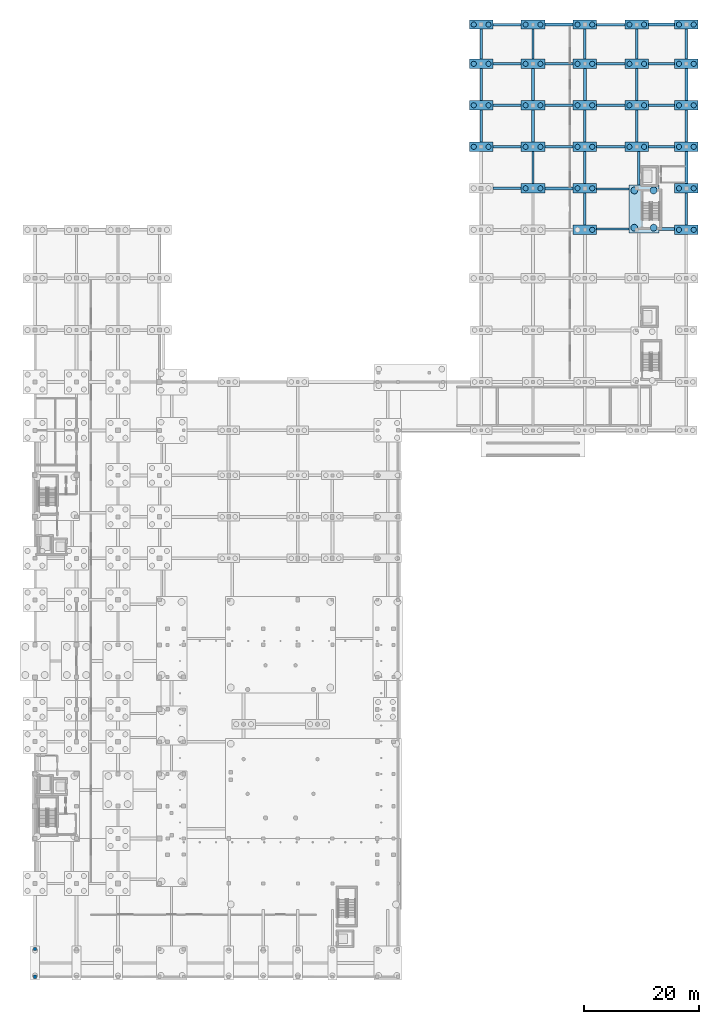
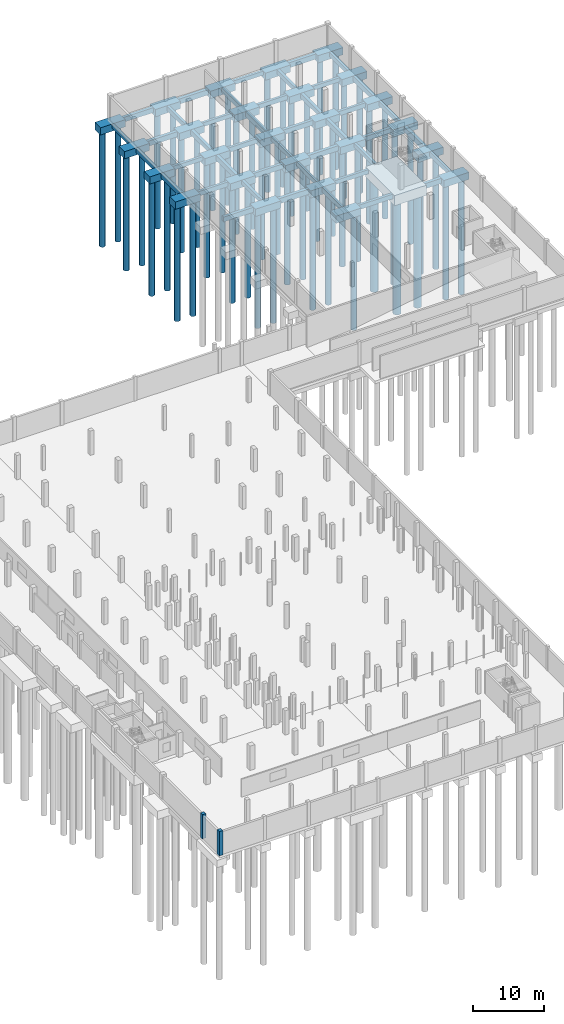
# One storey, part 6 of 34: 68 footings, 53 piles, 2 columns.
"""IFC4 building model written with IfcOpenShell, lengths in metres."""

from ifc_helpers import new_model, si_unit, direction, frame, origin, origin_2d, place, context, subcontext, project, spatial, rectangle, circle, extrude, material, material_profile, profile_set, type_object, element, save


model = new_model("IFC4")

# Units and contexts
model_context = context("Model", 3, precision=1e-05, world=origin(), true_north=direction((0.0, 1.0)))
body_context = subcontext(model_context, "Body", "Model", "MODEL_VIEW")
ifc_project = project(units=[si_unit("LENGTHUNIT", "METRE"), si_unit("AREAUNIT", "SQUARE_METRE"), si_unit("VOLUMEUNIT", "CUBIC_METRE"), si_unit("PLANEANGLEUNIT", "RADIAN"), si_unit("MASSUNIT", "GRAM", prefix="KILO")], contexts=[model_context])

# Site, building, storey
site_placement = place(None, origin())
site = spatial("IfcSite", under=ifc_project, at=site_placement, CompositionType="ELEMENT")
building_placement = place(site_placement, origin())
building = spatial("IfcBuilding", under=site, at=building_placement, Name="Vinh Khe Railworks Police Headquarters", CompositionType="ELEMENT")
storey_placement = place(building_placement, frame((0.0, 0.0, -4.199951171875)))
storey = spatial("IfcBuildingStorey", under=building, at=storey_placement, Name="B1", CompositionType="ELEMENT", Elevation=-4.199951171875)

# Piles
ifc_material_1 = material(Name="Concrete C35/45 (B35)", Category="concrete")
ifc_material_profile_1 = material_profile(ifc_material_1, circle(Radius=0.60009765625, at=origin_2d()), Name="BORED PILE D1200")
ifc_profile_set_1 = profile_set([ifc_material_profile_1], Name="Concrete C35/45 (B35)")
pile_type_1 = type_object("IfcPileType", Name="Bored Pile D1200", PredefinedType="BORED", material=ifc_profile_set_1)
for number, where, z_axis, x_axis, name in (
    (1, (104.570068359375, 131.169921875, -2.10009765625), (0.0, 0.0, -1.0), (1.0, 0.0, 0.0), "Bored Pile BP120-327"),
    (2, (104.570068359375, 137.6298828125, -2.10009765625), (0.0, 0.0, -1.0), (1.0, 0.0, 0.0), "Bored Pile BP120-328"),
    (3, (107.929931640625, 131.169921875, -2.10009765625), (0.0, 0.0, -1.0), (1.0, 0.0, 0.0), "Bored Pile BP120-329"),
    (4, (107.929931640625, 137.6298828125, -2.10009765625), (0.0, 0.0, -1.0), (1.0, 0.0, 0.0), "Bored Pile BP120-330"),
):
    element("IfcPile", number, at=place(storey_placement, frame(where, z_axis=z_axis, x_axis=x_axis)), inside=storey, type_object=pile_type_1, Name=name, PredefinedType="BORED", context=body_context, shape_type="SweptSolid", body=[
        extrude(circle(Radius=0.60009765625, at=origin_2d()), origin(), (0.0, 0.0, 1.0), 19.449951171875),
    ])
ifc_material_profile_2 = material_profile(ifc_material_1, circle(Radius=0.449951171875, at=origin_2d()), Name="BORED PILE D900")
ifc_profile_set_2 = profile_set([ifc_material_profile_2], Name="Concrete C35/45 (B35)")
pile_type_2 = type_object("IfcPileType", Name="Bored Pile D900", PredefinedType="BORED", material=ifc_profile_set_2)
for number, where, z_axis, x_axis, name in (
    (5, (76.719970703125, 145.199951171875, -1.60009765625), (0.0, 0.0, -1.0), (1.0, 0.0, 0.0), "Bored Pile BP90-271"),
    (6, (79.280029296875, 145.199951171875, -1.60009765625), (0.0, 0.0, -1.0), (1.0, 0.0, 0.0), "Bored Pile BP90-272"),
    (7, (76.719970703125, 152.39990234375, -1.60009765625), (0.0, 0.0, -1.0), (1.0, 0.0, 0.0), "Bored Pile BP90-273"),
    (8, (79.280029296875, 152.39990234375, -1.60009765625), (0.0, 0.0, -1.0), (1.0, 0.0, 0.0), "Bored Pile BP90-274"),
    (9, (76.719970703125, 159.60009765625, -1.60009765625), (0.0, 0.0, -1.0), (1.0, 0.0, 0.0), "Bored Pile BP90-275"),
    (10, (79.280029296875, 159.60009765625, -1.60009765625), (0.0, 0.0, -1.0), (1.0, 0.0, 0.0), "Bored Pile BP90-276"),
    (11, (76.719970703125, 166.39990234375, -1.60009765625), (0.0, 0.0, -1.0), (1.0, 0.0, 0.0), "Bored Pile BP90-277"),
    (12, (79.280029296875, 166.39990234375, -1.60009765625), (0.0, 0.0, -1.0), (1.0, 0.0, 0.0), "Bored Pile BP90-278"),
    (13, (85.719970703125, 138.0, -1.60009765625), (0.0, 0.0, -1.0), (1.0, 0.0, 0.0), "Bored Pile BP90-289"),
    (14, (88.280029296875, 138.0, -1.60009765625), (0.0, 0.0, -1.0), (1.0, 0.0, 0.0), "Bored Pile BP90-290"),
    (15, (85.719970703125, 145.199951171875, -1.60009765625), (0.0, 0.0, -1.0), (1.0, 0.0, 0.0), "Bored Pile BP90-291"),
    (16, (88.280029296875, 145.199951171875, -1.60009765625), (0.0, 0.0, -1.0), (1.0, 0.0, 0.0), "Bored Pile BP90-292"),
    (17, (85.719970703125, 152.39990234375, -1.60009765625), (0.0, 0.0, -1.0), (1.0, 0.0, 0.0), "Bored Pile BP90-293"),
    (18, (88.280029296875, 152.39990234375, -1.60009765625), (0.0, 0.0, -1.0), (1.0, 0.0, 0.0), "Bored Pile BP90-294"),
    (19, (85.719970703125, 159.60009765625, -1.60009765625), (0.0, 0.0, -1.0), (1.0, 0.0, 0.0), "Bored Pile BP90-295"),
    (20, (88.280029296875, 159.60009765625, -1.60009765625), (0.0, 0.0, -1.0), (1.0, 0.0, 0.0), "Bored Pile BP90-296"),
    (21, (85.719970703125, 166.39990234375, -1.60009765625), (0.0, 0.0, -1.0), (1.0, 0.0, 0.0), "Bored Pile BP90-297"),
    (22, (88.280029296875, 166.39990234375, -1.60009765625), (0.0, 0.0, -1.0), (1.0, 0.0, 0.0), "Bored Pile BP90-298"),
    (23, (97.280029296875, 130.800048828125, -1.60009765625), (0.0, 0.0, -1.0), (1.0, 0.0, 0.0), "Bored Pile BP90-308"),
    (24, (94.719970703125, 138.0, -1.60009765625), (0.0, 0.0, -1.0), (1.0, 0.0, 0.0), "Bored Pile BP90-309"),
    (25, (97.280029296875, 138.0, -1.60009765625), (0.0, 0.0, -1.0), (1.0, 0.0, 0.0), "Bored Pile BP90-310"),
    (26, (94.719970703125, 145.199951171875, -1.60009765625), (0.0, 0.0, -1.0), (1.0, 0.0, 0.0), "Bored Pile BP90-311"),
    (27, (97.280029296875, 145.199951171875, -1.60009765625), (0.0, 0.0, -1.0), (1.0, 0.0, 0.0), "Bored Pile BP90-312"),
    (28, (94.719970703125, 152.39990234375, -1.60009765625), (0.0, 0.0, -1.0), (1.0, 0.0, 0.0), "Bored Pile BP90-313"),
    (29, (97.280029296875, 152.39990234375, -1.60009765625), (0.0, 0.0, -1.0), (1.0, 0.0, 0.0), "Bored Pile BP90-314"),
    (30, (94.719970703125, 159.60009765625, -1.60009765625), (0.0, 0.0, -1.0), (1.0, 0.0, 0.0), "Bored Pile BP90-315"),
    (31, (97.280029296875, 159.60009765625, -1.60009765625), (0.0, 0.0, -1.0), (1.0, 0.0, 0.0), "Bored Pile BP90-316"),
    (32, (94.719970703125, 166.39990234375, -1.60009765625), (0.0, 0.0, -1.0), (1.0, 0.0, 0.0), "Bored Pile BP90-317"),
    (33, (97.280029296875, 166.39990234375, -1.60009765625), (0.0, 0.0, -1.0), (1.0, 0.0, 0.0), "Bored Pile BP90-318"),
    (34, (103.719970703125, 145.199951171875, -1.60009765625), (0.0, 0.0, -1.0), (1.0, 0.0, 0.0), "Bored Pile BP90-331"),
    (35, (106.280029296875, 145.199951171875, -1.60009765625), (0.0, 0.0, -1.0), (1.0, 0.0, 0.0), "Bored Pile BP90-332"),
    (36, (103.719970703125, 152.39990234375, -1.60009765625), (0.0, 0.0, -1.0), (1.0, 0.0, 0.0), "Bored Pile BP90-333"),
    (37, (106.280029296875, 152.39990234375, -1.60009765625), (0.0, 0.0, -1.0), (1.0, 0.0, 0.0), "Bored Pile BP90-334"),
    (38, (103.719970703125, 159.60009765625, -1.60009765625), (0.0, 0.0, -1.0), (1.0, 0.0, 0.0), "Bored Pile BP90-335"),
    (39, (106.280029296875, 159.60009765625, -1.60009765625), (0.0, 0.0, -1.0), (1.0, 0.0, 0.0), "Bored Pile BP90-336"),
    (40, (103.719970703125, 166.39990234375, -1.60009765625), (0.0, 0.0, -1.0), (1.0, 0.0, 0.0), "Bored Pile BP90-337"),
    (41, (106.280029296875, 166.39990234375, -1.60009765625), (0.0, 0.0, -1.0), (1.0, 0.0, 0.0), "Bored Pile BP90-338"),
    (42, (112.320068359375, 130.800048828125, -1.60009765625), (0.0, 0.0, -1.0), (1.0, 0.0, 0.0), "Bored Pile BP90-347"),
    (43, (114.8798828125, 130.800048828125, -1.60009765625), (0.0, 0.0, -1.0), (1.0, 0.0, 0.0), "Bored Pile BP90-348"),
    (44, (112.320068359375, 138.0, -1.60009765625), (0.0, 0.0, -1.0), (1.0, 0.0, 0.0), "Bored Pile BP90-349"),
    (45, (114.8798828125, 138.0, -1.60009765625), (0.0, 0.0, -1.0), (1.0, 0.0, 0.0), "Bored Pile BP90-350"),
    (46, (112.320068359375, 145.199951171875, -1.60009765625), (0.0, 0.0, -1.0), (1.0, 0.0, 0.0), "Bored Pile BP90-351"),
    (47, (114.8798828125, 145.199951171875, -1.60009765625), (0.0, 0.0, -1.0), (1.0, 0.0, 0.0), "Bored Pile BP90-352"),
    (48, (112.320068359375, 152.39990234375, -1.60009765625), (0.0, 0.0, -1.0), (1.0, 0.0, 0.0), "Bored Pile BP90-353"),
    (49, (114.8798828125, 152.39990234375, -1.60009765625), (0.0, 0.0, -1.0), (1.0, 0.0, 0.0), "Bored Pile BP90-354"),
    (50, (112.320068359375, 159.60009765625, -1.60009765625), (0.0, 0.0, -1.0), (1.0, 0.0, 0.0), "Bored Pile BP90-355"),
    (51, (114.8798828125, 159.60009765625, -1.60009765625), (0.0, 0.0, -1.0), (1.0, 0.0, 0.0), "Bored Pile BP90-356"),
    (52, (112.320068359375, 166.39990234375, -1.60009765625), (0.0, 0.0, -1.0), (1.0, 0.0, 0.0), "Bored Pile BP90-357"),
    (53, (114.8798828125, 166.39990234375, -1.60009765625), (0.0, 0.0, -1.0), (1.0, 0.0, 0.0), "Bored Pile BP90-358"),
):
    element("IfcPile", number, at=place(storey_placement, frame(where, z_axis=z_axis, x_axis=x_axis)), inside=storey, type_object=pile_type_2, Name=name, PredefinedType="BORED", context=body_context, shape_type="SweptSolid", body=[
        extrude(circle(Radius=0.449951171875, at=origin_2d()), origin(), (0.0, 0.0, 1.0), 19.949951171875),
    ])

# Footings
ifc_material_profile_3 = material_profile(ifc_material_1, rectangle(XDim=0.39990234375, YDim=0.699951171875, at=origin_2d()), Name="RC 400x700")
ifc_profile_set_3 = profile_set([ifc_material_profile_3], Name="Concrete C35/45 (B35)")
footing_type_1 = type_object("IfcFootingType", Name="Ground Tie Beam 400x700", PredefinedType="FOOTING_BEAM", material=ifc_profile_set_3)
footing_1_placement = place(storey_placement, frame((80.050048828125, 152.39990234375, -0.800048828125), z_axis=(1.0, 0.0, 0.0), x_axis=(0.0, 1.0, 0.0)))
element("IfcFooting", 54, at=footing_1_placement, inside=storey, type_object=footing_type_1, Name="Ground Tie Beam FTG-GB-B1-X162", PredefinedType="FOOTING_BEAM", context=body_context, shape_type="SweptSolid", body=[
    extrude(rectangle(XDim=0.39990234375, YDim=0.699951171875, at=origin_2d()), origin(), (0.0, 0.0, 1.0), 4.89990234375),
])
footing_2_placement = place(storey_placement, frame((78.0, 160.39990234375, -0.800048828125), z_axis=(0.0, 1.0, 0.0), x_axis=(-1.0, 0.0, 0.0)))
element("IfcFooting", 55, at=footing_2_placement, inside=storey, type_object=footing_type_1, Name="Ground Tie Beam FTG-GB-B1-Y165", PredefinedType="FOOTING_BEAM", context=body_context, shape_type="SweptSolid", body=[
    extrude(rectangle(XDim=0.39990234375, YDim=0.699951171875, at=origin_2d()), origin(), (0.0, 0.0, 1.0), 5.2001953125),
])
footing_3_placement = place(storey_placement, frame((87.0, 138.800048828125, -0.800048828125), z_axis=(0.0, 1.0, 0.0), x_axis=(-1.0, 0.0, 0.0)))
element("IfcFooting", 56, at=footing_3_placement, inside=storey, type_object=footing_type_1, Name="Ground Tie Beam FTG-GB-B1-Y178", PredefinedType="FOOTING_BEAM", context=body_context, shape_type="SweptSolid", body=[
    extrude(rectangle(XDim=0.39990234375, YDim=0.699951171875, at=origin_2d()), origin(), (0.0, 0.0, 1.0), 5.599853515625),
])
footing_4_placement = place(storey_placement, frame((89.050048828125, 159.60009765625, -0.800048828125), z_axis=(1.0, 0.0, 0.0), x_axis=(0.0, 1.0, 0.0)))
element("IfcFooting", 57, at=footing_4_placement, inside=storey, type_object=footing_type_1, Name="Ground Tie Beam FTG-GB-B1-X183", PredefinedType="FOOTING_BEAM", context=body_context, shape_type="SweptSolid", body=[
    extrude(rectangle(XDim=0.39990234375, YDim=0.699951171875, at=origin_2d()), origin(), (0.0, 0.0, 1.0), 4.89990234375),
])
footing_5_placement = place(storey_placement, frame((98.050048828125, 137.875, -0.800048828125), z_axis=(1.0, 0.0, 0.0), x_axis=(0.0, 1.0, 0.0)))
element("IfcFooting", 58, at=footing_5_placement, inside=storey, type_object=footing_type_1, Name="Ground Tie Beam FTG-GB-B1-X196", PredefinedType="FOOTING_BEAM", context=body_context, shape_type="SweptSolid", body=[
    extrude(rectangle(XDim=0.39990234375, YDim=0.699951171875, at=origin_2d()), origin(), (0.0, 0.0, 1.0), 5.599853515625),
])
footing_6_placement = place(storey_placement, frame((96.0, 146.0, -0.800048828125), z_axis=(0.0, 1.0, 0.0), x_axis=(-1.0, 0.0, 0.0)))
element("IfcFooting", 59, at=footing_6_placement, inside=storey, type_object=footing_type_1, Name="Ground Tie Beam FTG-GB-B1-Y199", PredefinedType="FOOTING_BEAM", context=body_context, shape_type="SweptSolid", body=[
    extrude(rectangle(XDim=0.39990234375, YDim=0.699951171875, at=origin_2d()), origin(), (0.0, 0.0, 1.0), 5.60009765625),
])
footing_7_placement = place(storey_placement, frame((98.050048828125, 166.39990234375, -0.800048828125), z_axis=(1.0, 0.0, 0.0), x_axis=(0.0, 1.0, 0.0)))
element("IfcFooting", 60, at=footing_7_placement, inside=storey, type_object=footing_type_1, Name="Ground Tie Beam FTG-GB-B1-X204", PredefinedType="FOOTING_BEAM", context=body_context, shape_type="SweptSolid", body=[
    extrude(rectangle(XDim=0.39990234375, YDim=0.699951171875, at=origin_2d()), origin(), (0.0, 0.0, 1.0), 4.89990234375),
])
footing_8_placement = place(storey_placement, frame((105.35009765625, 138.550048828125, -0.800048828125), z_axis=(0.0, 1.0, 0.0), x_axis=(-1.0, 0.0, 0.0)))
element("IfcFooting", 61, at=footing_8_placement, inside=storey, type_object=footing_type_1, Name="Ground Tie Beam FTG-GB-B1-Y212", PredefinedType="FOOTING_BEAM", context=body_context, shape_type="SweptSolid", body=[
    extrude(rectangle(XDim=0.39990234375, YDim=0.699951171875, at=origin_2d()), origin(), (0.0, 0.0, 1.0), 5.849853515625),
])
footing_9_placement = place(storey_placement, frame((107.050048828125, 159.60009765625, -0.800048828125), z_axis=(1.0, 0.0, 0.0), x_axis=(0.0, 1.0, 0.0)))
element("IfcFooting", 62, at=footing_9_placement, inside=storey, type_object=footing_type_1, Name="Ground Tie Beam FTG-GB-B1-X217", PredefinedType="FOOTING_BEAM", context=body_context, shape_type="SweptSolid", body=[
    extrude(rectangle(XDim=0.39990234375, YDim=0.699951171875, at=origin_2d()), origin(), (0.0, 0.0, 1.0), 4.5),
])
ifc_material_profile_4 = material_profile(ifc_material_1, rectangle(XDim=0.39990234375, YDim=0.800048828125, at=origin_2d()), Name="RC 400x800")
ifc_profile_set_4 = profile_set([ifc_material_profile_4], Name="Concrete C35/45 (B35)")
footing_type_2 = type_object("IfcFootingType", Name="Ground Tie Beam 400x800", PredefinedType="FOOTING_BEAM", material=ifc_profile_set_4)
footing_10_placement = place(storey_placement, frame((80.050048828125, 145.199951171875, -0.85009765625), z_axis=(1.0, 0.0, 0.0), x_axis=(0.0, 1.0, 0.0)))
element("IfcFooting", 63, at=footing_10_placement, inside=storey, type_object=footing_type_2, Name="Ground Tie Beam FTG-GB-B1-X160", PredefinedType="FOOTING_BEAM", context=body_context, shape_type="SweptSolid", body=[
    extrude(rectangle(XDim=0.39990234375, YDim=0.800048828125, at=origin_2d()), origin(), (0.0, 0.0, 1.0), 4.89990234375),
])
footing_11_placement = place(storey_placement, frame((78.0, 153.199951171875, -0.85009765625), z_axis=(0.0, 1.0, 0.0), x_axis=(-1.0, 0.0, 0.0)))
element("IfcFooting", 64, at=footing_11_placement, inside=storey, type_object=footing_type_2, Name="Ground Tie Beam FTG-GB-B1-Y163", PredefinedType="FOOTING_BEAM", context=body_context, shape_type="SweptSolid", body=[
    extrude(rectangle(XDim=0.39990234375, YDim=0.800048828125, at=origin_2d()), origin(), (0.0, 0.0, 1.0), 5.60009765625),
])
footing_12_placement = place(storey_placement, frame((89.050048828125, 152.39990234375, -0.85009765625), z_axis=(1.0, 0.0, 0.0), x_axis=(0.0, 1.0, 0.0)))
element("IfcFooting", 65, at=footing_12_placement, inside=storey, type_object=footing_type_2, Name="Ground Tie Beam FTG-GB-B1-X181", PredefinedType="FOOTING_BEAM", context=body_context, shape_type="SweptSolid", body=[
    extrude(rectangle(XDim=0.39990234375, YDim=0.800048828125, at=origin_2d()), origin(), (0.0, 0.0, 1.0), 4.89990234375),
])
footing_13_placement = place(storey_placement, frame((87.0, 160.39990234375, -0.85009765625), z_axis=(0.0, 1.0, 0.0), x_axis=(-1.0, 0.0, 0.0)))
element("IfcFooting", 66, at=footing_13_placement, inside=storey, type_object=footing_type_2, Name="Ground Tie Beam FTG-GB-B1-Y184", PredefinedType="FOOTING_BEAM", context=body_context, shape_type="SweptSolid", body=[
    extrude(rectangle(XDim=0.39990234375, YDim=0.800048828125, at=origin_2d()), origin(), (0.0, 0.0, 1.0), 5.2001953125),
])
for number, where, z_axis, x_axis, name in (
    (67, (98.050048828125, 130.925048828125, -0.85009765625), (1.0, 0.0, 0.0), (0.0, 1.0, 0.0), "Ground Tie Beam FTG-GB-B1-X194"),
    (68, (96.0, 138.800048828125, -0.85009765625), (0.0, 1.0, 0.0), (-1.0, 0.0, 0.0), "Ground Tie Beam FTG-GB-B1-Y197"),
):
    element("IfcFooting", number, at=place(storey_placement, frame(where, z_axis=z_axis, x_axis=x_axis)), inside=storey, type_object=footing_type_2, Name=name, PredefinedType="FOOTING_BEAM", context=body_context, shape_type="SweptSolid", body=[
        extrude(rectangle(XDim=0.39990234375, YDim=0.800048828125, at=origin_2d()), origin(), (0.0, 0.0, 1.0), 5.599853515625),
    ])
footing_14_placement = place(storey_placement, frame((98.050048828125, 159.60009765625, -0.85009765625), z_axis=(1.0, 0.0, 0.0), x_axis=(0.0, 1.0, 0.0)))
element("IfcFooting", 69, at=footing_14_placement, inside=storey, type_object=footing_type_2, Name="Ground Tie Beam FTG-GB-B1-X202", PredefinedType="FOOTING_BEAM", context=body_context, shape_type="SweptSolid", body=[
    extrude(rectangle(XDim=0.39990234375, YDim=0.800048828125, at=origin_2d()), origin(), (0.0, 0.0, 1.0), 4.89990234375),
])
footing_15_placement = place(storey_placement, frame((107.050048828125, 152.39990234375, -0.85009765625), z_axis=(1.0, 0.0, 0.0), x_axis=(0.0, 1.0, 0.0)))
element("IfcFooting", 70, at=footing_15_placement, inside=storey, type_object=footing_type_2, Name="Ground Tie Beam FTG-GB-B1-X215", PredefinedType="FOOTING_BEAM", context=body_context, shape_type="SweptSolid", body=[
    extrude(rectangle(XDim=0.39990234375, YDim=0.800048828125, at=origin_2d()), origin(), (0.0, 0.0, 1.0), 4.5),
])
footing_16_placement = place(storey_placement, frame((105.0, 160.39990234375, -0.85009765625), z_axis=(0.0, 1.0, 0.0), x_axis=(-1.0, 0.0, 0.0)))
element("IfcFooting", 71, at=footing_16_placement, inside=storey, type_object=footing_type_2, Name="Ground Tie Beam FTG-GB-B1-Y218", PredefinedType="FOOTING_BEAM", context=body_context, shape_type="SweptSolid", body=[
    extrude(rectangle(XDim=0.39990234375, YDim=0.800048828125, at=origin_2d()), origin(), (0.0, 0.0, 1.0), 5.2001953125),
])
footing_17_placement = place(storey_placement, frame((113.60009765625, 131.60009765625, -0.85009765625), z_axis=(0.0, 1.0, 0.0), x_axis=(-1.0, 0.0, 0.0)))
element("IfcFooting", 72, at=footing_17_placement, inside=storey, type_object=footing_type_2, Name="Ground Tie Beam FTG-GB-B1-Y224", PredefinedType="FOOTING_BEAM", context=body_context, shape_type="SweptSolid", body=[
    extrude(rectangle(XDim=0.39990234375, YDim=0.800048828125, at=origin_2d()), origin(), (0.0, 0.0, 1.0), 5.599853515625),
])
footing_18_placement = place(storey_placement, frame((113.60009765625, 146.0, -0.85009765625), z_axis=(0.0, 1.0, 0.0), x_axis=(-1.0, 0.0, 0.0)))
element("IfcFooting", 73, at=footing_18_placement, inside=storey, type_object=footing_type_2, Name="Ground Tie Beam FTG-GB-B1-Y226", PredefinedType="FOOTING_BEAM", context=body_context, shape_type="SweptSolid", body=[
    extrude(rectangle(XDim=0.39990234375, YDim=0.800048828125, at=origin_2d()), origin(), (0.0, 0.0, 1.0), 5.60009765625),
])
footing_19_placement = place(storey_placement, frame((113.60009765625, 160.39990234375, -0.85009765625), z_axis=(0.0, 1.0, 0.0), x_axis=(-1.0, 0.0, 0.0)))
element("IfcFooting", 74, at=footing_19_placement, inside=storey, type_object=footing_type_2, Name="Ground Tie Beam FTG-GB-B1-Y228", PredefinedType="FOOTING_BEAM", context=body_context, shape_type="SweptSolid", body=[
    extrude(rectangle(XDim=0.39990234375, YDim=0.800048828125, at=origin_2d()), origin(), (0.0, 0.0, 1.0), 5.2001953125),
])
ifc_material_profile_5 = material_profile(ifc_material_1, rectangle(XDim=0.449951171875, YDim=0.85009765625, at=origin_2d()), Name="RC 450x850")
ifc_profile_set_5 = profile_set([ifc_material_profile_5], Name="Concrete C35/45 (B35)")
footing_type_3 = type_object("IfcFootingType", Name="Ground Tie Beam 450x850", PredefinedType="FOOTING_BEAM", material=ifc_profile_set_5)
footing_20_placement = place(storey_placement, frame((80.050048828125, 138.0, -0.875), z_axis=(1.0, 0.0, 0.0), x_axis=(0.0, 1.0, 0.0)))
element("IfcFooting", 75, at=footing_20_placement, inside=storey, type_object=footing_type_3, Name="Ground Tie Beam FTG-GB-B1-X158", PredefinedType="FOOTING_BEAM", context=body_context, shape_type="SweptSolid", body=[
    extrude(rectangle(XDim=0.449951171875, YDim=0.85009765625, at=origin_2d()), origin(), (0.0, 0.0, 1.0), 4.89990234375),
])
footing_21_placement = place(storey_placement, frame((78.0, 146.0, -0.875), z_axis=(0.0, 1.0, 0.0), x_axis=(-1.0, 0.0, 0.0)))
element("IfcFooting", 76, at=footing_21_placement, inside=storey, type_object=footing_type_3, Name="Ground Tie Beam FTG-GB-B1-Y161", PredefinedType="FOOTING_BEAM", context=body_context, shape_type="SweptSolid", body=[
    extrude(rectangle(XDim=0.449951171875, YDim=0.85009765625, at=origin_2d()), origin(), (0.0, 0.0, 1.0), 5.60009765625),
])
for number, where, z_axis, x_axis, name in (
    (77, (80.050048828125, 166.39990234375, -0.875), (1.0, 0.0, 0.0), (0.0, 1.0, 0.0), "Ground Tie Beam FTG-GB-B1-X166"),
    (78, (89.050048828125, 145.199951171875, -0.875), (1.0, 0.0, 0.0), (0.0, 1.0, 0.0), "Ground Tie Beam FTG-GB-B1-X179"),
):
    element("IfcFooting", number, at=place(storey_placement, frame(where, z_axis=z_axis, x_axis=x_axis)), inside=storey, type_object=footing_type_3, Name=name, PredefinedType="FOOTING_BEAM", context=body_context, shape_type="SweptSolid", body=[
        extrude(rectangle(XDim=0.449951171875, YDim=0.85009765625, at=origin_2d()), origin(), (0.0, 0.0, 1.0), 4.89990234375),
    ])
footing_22_placement = place(storey_placement, frame((87.0, 153.199951171875, -0.875), z_axis=(0.0, 1.0, 0.0), x_axis=(-1.0, 0.0, 0.0)))
element("IfcFooting", 79, at=footing_22_placement, inside=storey, type_object=footing_type_3, Name="Ground Tie Beam FTG-GB-B1-Y182", PredefinedType="FOOTING_BEAM", context=body_context, shape_type="SweptSolid", body=[
    extrude(rectangle(XDim=0.449951171875, YDim=0.85009765625, at=origin_2d()), origin(), (0.0, 0.0, 1.0), 5.60009765625),
])
footing_23_placement = place(storey_placement, frame((96.0, 131.60009765625, -0.875), z_axis=(0.0, 1.0, 0.0), x_axis=(-1.0, 0.0, 0.0)))
element("IfcFooting", 80, at=footing_23_placement, inside=storey, type_object=footing_type_3, Name="Ground Tie Beam FTG-GB-B1-Y195", PredefinedType="FOOTING_BEAM", context=body_context, shape_type="SweptSolid", body=[
    extrude(rectangle(XDim=0.449951171875, YDim=0.85009765625, at=origin_2d()), origin(), (0.0, 0.0, 1.0), 5.599853515625),
])
footing_24_placement = place(storey_placement, frame((98.050048828125, 152.39990234375, -0.875), z_axis=(1.0, 0.0, 0.0), x_axis=(0.0, 1.0, 0.0)))
element("IfcFooting", 81, at=footing_24_placement, inside=storey, type_object=footing_type_3, Name="Ground Tie Beam FTG-GB-B1-X200", PredefinedType="FOOTING_BEAM", context=body_context, shape_type="SweptSolid", body=[
    extrude(rectangle(XDim=0.449951171875, YDim=0.85009765625, at=origin_2d()), origin(), (0.0, 0.0, 1.0), 4.89990234375),
])
footing_25_placement = place(storey_placement, frame((96.0, 160.39990234375, -0.875), z_axis=(0.0, 1.0, 0.0), x_axis=(-1.0, 0.0, 0.0)))
element("IfcFooting", 82, at=footing_25_placement, inside=storey, type_object=footing_type_3, Name="Ground Tie Beam FTG-GB-B1-Y203", PredefinedType="FOOTING_BEAM", context=body_context, shape_type="SweptSolid", body=[
    extrude(rectangle(XDim=0.449951171875, YDim=0.85009765625, at=origin_2d()), origin(), (0.0, 0.0, 1.0), 5.2001953125),
])
footing_26_placement = place(storey_placement, frame((107.050048828125, 145.199951171875, -0.875), z_axis=(1.0, 0.0, 0.0), x_axis=(0.0, 1.0, 0.0)))
element("IfcFooting", 83, at=footing_26_placement, inside=storey, type_object=footing_type_3, Name="Ground Tie Beam FTG-GB-B1-X213", PredefinedType="FOOTING_BEAM", context=body_context, shape_type="SweptSolid", body=[
    extrude(rectangle(XDim=0.449951171875, YDim=0.85009765625, at=origin_2d()), origin(), (0.0, 0.0, 1.0), 4.5),
])
footing_27_placement = place(storey_placement, frame((105.0, 153.199951171875, -0.875), z_axis=(0.0, 1.0, 0.0), x_axis=(-1.0, 0.0, 0.0)))
element("IfcFooting", 84, at=footing_27_placement, inside=storey, type_object=footing_type_3, Name="Ground Tie Beam FTG-GB-B1-Y216", PredefinedType="FOOTING_BEAM", context=body_context, shape_type="SweptSolid", body=[
    extrude(rectangle(XDim=0.449951171875, YDim=0.85009765625, at=origin_2d()), origin(), (0.0, 0.0, 1.0), 5.60009765625),
])
ifc_material_profile_6 = material_profile(ifc_material_1, rectangle(XDim=0.5, YDim=0.89990234375, at=origin_2d()), Name="RC 500x900")
ifc_profile_set_6 = profile_set([ifc_material_profile_6], Name="Concrete C35/45 (B35)")
footing_type_4 = type_object("IfcFootingType", Name="Ground Tie Beam 500x900", PredefinedType="FOOTING_BEAM", material=ifc_profile_set_6)
for number, where, z_axis, x_axis, name in (
    (85, (80.050048828125, 159.60009765625, -0.900146484375), (1.0, 0.0, 0.0), (0.0, 1.0, 0.0), "Ground Tie Beam FTG-GB-B1-X164"),
    (86, (89.050048828125, 138.0, -0.900146484375), (1.0, 0.0, 0.0), (0.0, 1.0, 0.0), "Ground Tie Beam FTG-GB-B1-X177"),
):
    element("IfcFooting", number, at=place(storey_placement, frame(where, z_axis=z_axis, x_axis=x_axis)), inside=storey, type_object=footing_type_4, Name=name, PredefinedType="FOOTING_BEAM", context=body_context, shape_type="SweptSolid", body=[
        extrude(rectangle(XDim=0.5, YDim=0.89990234375, at=origin_2d()), origin(), (0.0, 0.0, 1.0), 4.89990234375),
    ])
footing_28_placement = place(storey_placement, frame((87.0, 146.0, -0.900146484375), z_axis=(0.0, 1.0, 0.0), x_axis=(-1.0, 0.0, 0.0)))
element("IfcFooting", 87, at=footing_28_placement, inside=storey, type_object=footing_type_4, Name="Ground Tie Beam FTG-GB-B1-Y180", PredefinedType="FOOTING_BEAM", context=body_context, shape_type="SweptSolid", body=[
    extrude(rectangle(XDim=0.5, YDim=0.89990234375, at=origin_2d()), origin(), (0.0, 0.0, 1.0), 5.60009765625),
])
for number, where, z_axis, x_axis, name in (
    (88, (89.050048828125, 166.39990234375, -0.900146484375), (1.0, 0.0, 0.0), (0.0, 1.0, 0.0), "Ground Tie Beam FTG-GB-B1-X185"),
    (89, (98.050048828125, 145.199951171875, -0.900146484375), (1.0, 0.0, 0.0), (0.0, 1.0, 0.0), "Ground Tie Beam FTG-GB-B1-X198"),
):
    element("IfcFooting", number, at=place(storey_placement, frame(where, z_axis=z_axis, x_axis=x_axis)), inside=storey, type_object=footing_type_4, Name=name, PredefinedType="FOOTING_BEAM", context=body_context, shape_type="SweptSolid", body=[
        extrude(rectangle(XDim=0.5, YDim=0.89990234375, at=origin_2d()), origin(), (0.0, 0.0, 1.0), 4.89990234375),
    ])
footing_29_placement = place(storey_placement, frame((96.0, 153.199951171875, -0.900146484375), z_axis=(0.0, 1.0, 0.0), x_axis=(-1.0, 0.0, 0.0)))
element("IfcFooting", 90, at=footing_29_placement, inside=storey, type_object=footing_type_4, Name="Ground Tie Beam FTG-GB-B1-Y201", PredefinedType="FOOTING_BEAM", context=body_context, shape_type="SweptSolid", body=[
    extrude(rectangle(XDim=0.5, YDim=0.89990234375, at=origin_2d()), origin(), (0.0, 0.0, 1.0), 5.60009765625),
])
footing_30_placement = place(storey_placement, frame((108.85009765625, 130.925048828125, -0.900146484375), z_axis=(1.0, 0.0, 0.0), x_axis=(0.0, 1.0, 0.0)))
element("IfcFooting", 91, at=footing_30_placement, inside=storey, type_object=footing_type_4, Name="Ground Tie Beam FTG-GB-B1-X211", PredefinedType="FOOTING_BEAM", context=body_context, shape_type="SweptSolid", body=[
    extrude(rectangle(XDim=0.5, YDim=0.89990234375, at=origin_2d()), origin(), (0.0, 0.0, 1.0), 2.699951171875),
])
footing_31_placement = place(storey_placement, frame((105.0, 146.0, -0.900146484375), z_axis=(0.0, 1.0, 0.0), x_axis=(-1.0, 0.0, 0.0)))
element("IfcFooting", 92, at=footing_31_placement, inside=storey, type_object=footing_type_4, Name="Ground Tie Beam FTG-GB-B1-Y214", PredefinedType="FOOTING_BEAM", context=body_context, shape_type="SweptSolid", body=[
    extrude(rectangle(XDim=0.5, YDim=0.89990234375, at=origin_2d()), origin(), (0.0, 0.0, 1.0), 5.60009765625),
])
footing_32_placement = place(storey_placement, frame((107.050048828125, 166.39990234375, -0.900146484375), z_axis=(1.0, 0.0, 0.0), x_axis=(0.0, 1.0, 0.0)))
element("IfcFooting", 93, at=footing_32_placement, inside=storey, type_object=footing_type_4, Name="Ground Tie Beam FTG-GB-B1-X219", PredefinedType="FOOTING_BEAM", context=body_context, shape_type="SweptSolid", body=[
    extrude(rectangle(XDim=0.5, YDim=0.89990234375, at=origin_2d()), origin(), (0.0, 0.0, 1.0), 4.5),
])
footing_33_placement = place(storey_placement, frame((113.60009765625, 138.800048828125, -0.900146484375), z_axis=(0.0, 1.0, 0.0), x_axis=(-1.0, 0.0, 0.0)))
element("IfcFooting", 94, at=footing_33_placement, inside=storey, type_object=footing_type_4, Name="Ground Tie Beam FTG-GB-B1-Y225", PredefinedType="FOOTING_BEAM", context=body_context, shape_type="SweptSolid", body=[
    extrude(rectangle(XDim=0.5, YDim=0.89990234375, at=origin_2d()), origin(), (0.0, 0.0, 1.0), 5.599853515625),
])
footing_34_placement = place(storey_placement, frame((113.60009765625, 153.199951171875, -0.900146484375), z_axis=(0.0, 1.0, 0.0), x_axis=(-1.0, 0.0, 0.0)))
element("IfcFooting", 95, at=footing_34_placement, inside=storey, type_object=footing_type_4, Name="Ground Tie Beam FTG-GB-B1-Y227", PredefinedType="FOOTING_BEAM", context=body_context, shape_type="SweptSolid", body=[
    extrude(rectangle(XDim=0.5, YDim=0.89990234375, at=origin_2d()), origin(), (0.0, 0.0, 1.0), 5.60009765625),
])
footing_type_5 = type_object("IfcFootingType", Name="Pile Cap 4100x1600x1250", PredefinedType="PILE_CAP", material=ifc_material_1)
for number, where, z_axis, x_axis, name in (
    (96, (78.0, 145.199951171875, -1.699951171875), (0.0, 0.0, 1.0), (1.0, 0.0, 0.0), "Pile Cap PC-090"),
    (97, (78.0, 152.39990234375, -1.699951171875), (0.0, 0.0, 1.0), (1.0, 0.0, 0.0), "Pile Cap PC-091"),
    (98, (78.0, 159.60009765625, -1.699951171875), (0.0, 0.0, 1.0), (1.0, 0.0, 0.0), "Pile Cap PC-092"),
    (99, (78.0, 166.39990234375, -1.699951171875), (0.0, 0.0, 1.0), (1.0, 0.0, 0.0), "Pile Cap PC-093"),
    (100, (87.0, 138.0, -1.699951171875), (0.0, 0.0, 1.0), (1.0, 0.0, 0.0), "Pile Cap PC-099"),
    (101, (87.0, 145.199951171875, -1.699951171875), (0.0, 0.0, 1.0), (1.0, 0.0, 0.0), "Pile Cap PC-100"),
    (102, (87.0, 152.39990234375, -1.699951171875), (0.0, 0.0, 1.0), (1.0, 0.0, 0.0), "Pile Cap PC-101"),
    (103, (87.0, 159.60009765625, -1.699951171875), (0.0, 0.0, 1.0), (1.0, 0.0, 0.0), "Pile Cap PC-102"),
    (104, (87.0, 166.39990234375, -1.699951171875), (0.0, 0.0, 1.0), (1.0, 0.0, 0.0), "Pile Cap PC-103"),
    (105, (96.0, 130.800048828125, -1.699951171875), (0.0, 0.0, 1.0), (1.0, 0.0, 0.0), "Pile Cap PC-108"),
    (106, (96.0, 138.0, -1.699951171875), (0.0, 0.0, 1.0), (1.0, 0.0, 0.0), "Pile Cap PC-109"),
    (107, (96.0, 145.199951171875, -1.699951171875), (0.0, 0.0, 1.0), (1.0, 0.0, 0.0), "Pile Cap PC-110"),
    (108, (96.0, 152.39990234375, -1.699951171875), (0.0, 0.0, 1.0), (1.0, 0.0, 0.0), "Pile Cap PC-111"),
    (109, (96.0, 159.60009765625, -1.699951171875), (0.0, 0.0, 1.0), (1.0, 0.0, 0.0), "Pile Cap PC-112"),
    (110, (96.0, 166.39990234375, -1.699951171875), (0.0, 0.0, 1.0), (1.0, 0.0, 0.0), "Pile Cap PC-113"),
    (111, (105.0, 145.199951171875, -1.699951171875), (0.0, 0.0, 1.0), (1.0, 0.0, 0.0), "Pile Cap PC-118"),
    (112, (105.0, 152.39990234375, -1.699951171875), (0.0, 0.0, 1.0), (1.0, 0.0, 0.0), "Pile Cap PC-119"),
    (113, (105.0, 159.60009765625, -1.699951171875), (0.0, 0.0, 1.0), (1.0, 0.0, 0.0), "Pile Cap PC-120"),
    (114, (105.0, 166.39990234375, -1.699951171875), (0.0, 0.0, 1.0), (1.0, 0.0, 0.0), "Pile Cap PC-121"),
    (115, (113.60009765625, 130.800048828125, -1.699951171875), (0.0, 0.0, 1.0), (1.0, 0.0, 0.0), "Pile Cap PC-126"),
    (116, (113.60009765625, 138.0, -1.699951171875), (0.0, 0.0, 1.0), (1.0, 0.0, 0.0), "Pile Cap PC-127"),
    (117, (113.60009765625, 145.199951171875, -1.699951171875), (0.0, 0.0, 1.0), (1.0, 0.0, 0.0), "Pile Cap PC-128"),
    (118, (113.60009765625, 152.39990234375, -1.699951171875), (0.0, 0.0, 1.0), (1.0, 0.0, 0.0), "Pile Cap PC-129"),
    (119, (113.60009765625, 159.60009765625, -1.699951171875), (0.0, 0.0, 1.0), (1.0, 0.0, 0.0), "Pile Cap PC-130"),
    (120, (113.60009765625, 166.39990234375, -1.699951171875), (0.0, 0.0, 1.0), (1.0, 0.0, 0.0), "Pile Cap PC-131"),
):
    element("IfcFooting", number, at=place(storey_placement, frame(where, z_axis=z_axis, x_axis=x_axis)), inside=storey, type_object=footing_type_5, Name=name, PredefinedType="PILE_CAP", context=body_context, shape_type="SweptSolid", body=[
        extrude(rectangle(XDim=4.10009765625, YDim=1.60009765625, at=origin_2d()), origin(), (0.0, 0.0, 1.0), 1.25),
    ])
footing_type_6 = type_object("IfcFootingType", Name="Pile Cap 5200x8300x1750", PredefinedType="PILE_CAP", material=ifc_material_1)
footing_35_placement = place(storey_placement, frame((106.25, 134.39990234375, -2.199951171875), z_axis=(0.0, 0.0, 1.0), x_axis=(1.0, 0.0, 0.0)))
element("IfcFooting", 121, at=footing_35_placement, inside=storey, type_object=footing_type_6, Name="Pile Cap PC-117", PredefinedType="PILE_CAP", context=body_context, shape_type="SweptSolid", body=[
    extrude(rectangle(XDim=5.199951171875, YDim=8.300048828125, at=origin_2d()), origin(), (0.0, 0.0, 1.0), 1.75),
])

# Columns
ifc_material_2 = material(Name="Concrete C40/50 (B40)", Category="concrete")
ifc_material_profile_7 = material_profile(ifc_material_2, rectangle(XDim=0.550048828125, YDim=0.550048828125, at=origin_2d()), Name="RC 550x550")
ifc_profile_set_7 = profile_set([ifc_material_profile_7], Name="Concrete C40/50 (B40)")
column_type_1 = type_object("IfcColumnType", Name="RC Column RC 550x550", PredefinedType="COLUMN", material=ifc_profile_set_7)
column_1_placement = place(storey_placement, frame((0.60009765625, 6.0, 0.0), z_axis=(0.0, 0.0, 1.0), x_axis=(1.0, 0.0, 0.0)))
element("IfcColumn", 122, at=column_1_placement, inside=storey, type_object=column_type_1, Name="Column COL-B1-CC-06-0004", PredefinedType="COLUMN", context=body_context, shape_type="SweptSolid", body=[
    extrude(rectangle(XDim=0.550048828125, YDim=0.550048828125, at=origin_2d()), origin(), (0.0, 0.0, 1.0), 4.199951171875),
])
ifc_material_profile_8 = material_profile(ifc_material_2, rectangle(XDim=0.60009765625, YDim=0.60009765625, at=origin_2d()), Name="RC 600x600")
ifc_profile_set_8 = profile_set([ifc_material_profile_8], Name="Concrete C40/50 (B40)")
column_type_2 = type_object("IfcColumnType", Name="RC Column RC 600x600", PredefinedType="COLUMN", material=ifc_profile_set_8)
column_2_placement = place(storey_placement, frame((0.60009765625, 1.199951171875, 0.0), z_axis=(0.0, 0.0, 1.0), x_axis=(1.0, 0.0, 0.0)))
element("IfcColumn", 123, at=column_2_placement, inside=storey, type_object=column_type_2, Name="Column COL-B1-CC-05-0001", PredefinedType="COLUMN", context=body_context, shape_type="SweptSolid", body=[
    extrude(rectangle(XDim=0.60009765625, YDim=0.60009765625, at=origin_2d()), origin(), (0.0, 0.0, 1.0), 4.199951171875),
])

save(model, "model.ifc")
